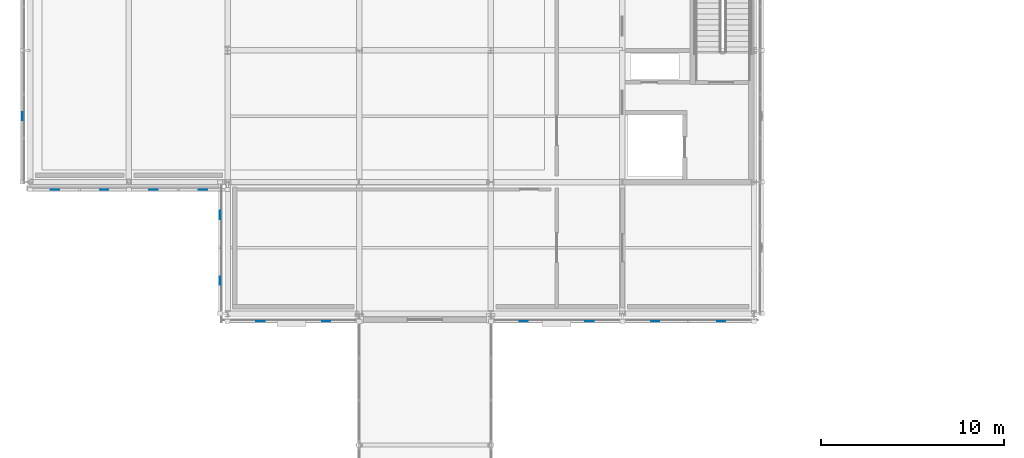
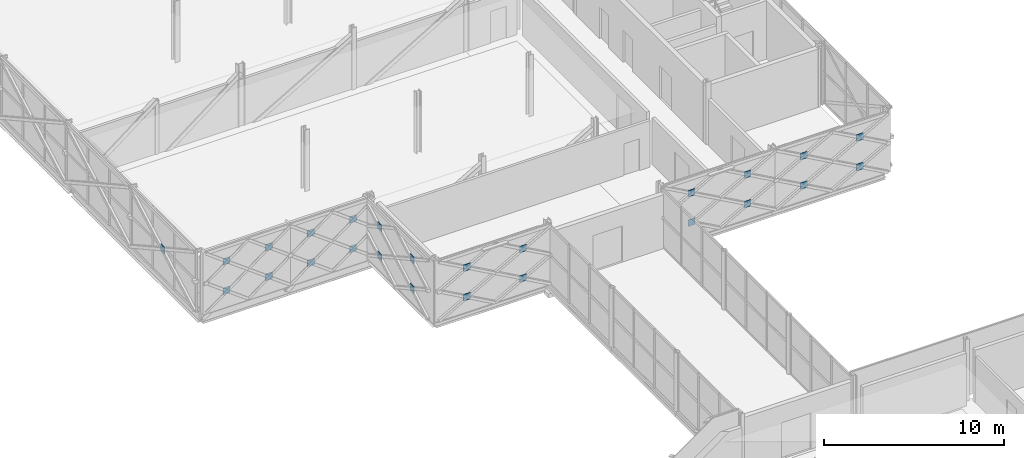
# One storey, part 85 of 126: 25 plates.
"""IFC4 building model written with IfcOpenShell, lengths in metres."""

import ifcopenshell
import ifcopenshell.guid

model = None  # the IFC model being written
_history = None  # IfcOwnerHistory: only IFC2X3 demands one
_inside = {}  # id of a spatial element -> (the spatial element, [elements in it])
_under = {}  # id of a project, library or spatial element -> (it, [spatial elements below it])
_declared = {}  # id of a project -> (the project, [libraries it declares])
_typed = {}  # id of a type object -> (the type object, [elements of that type])
_made_of = {}  # id of a material, layer set ... -> (it, [elements and type objects made of it])


def new_model(schema):
    """Start an empty IFC model of exactly this schema.

    Asked for "IFC4X3", IfcOpenShell would pick the latest addendum, in which some entities
    have other attributes; the version numbers below select the first issue.
    IFC2X3 requires an IfcOwnerHistory on every rooted entity: one is made here for all.
    """
    global model, _history
    if schema == "IFC4X3":
        model = ifcopenshell.file(schema_version=(4, 3, 0, 0))
    else:
        model = ifcopenshell.file(schema=schema)
    _inside.clear()
    _under.clear()
    _declared.clear()
    _typed.clear()
    _made_of.clear()
    _history = None
    if model.schema == "IFC2X3":
        org = make("IfcOrganization", Name="unknown")
        user = make(
            "IfcPersonAndOrganization",
            ThePerson=make("IfcPerson", FamilyName="unknown"),
            TheOrganization=org,
        )
        app = make(
            "IfcApplication",
            ApplicationDeveloper=org,
            Version="unknown",
            ApplicationFullName="unknown",
            ApplicationIdentifier="unknown",
        )
        _history = make(
            "IfcOwnerHistory",
            OwningUser=user,
            OwningApplication=app,
            ChangeAction="ADDED",
            CreationDate=0,
        )
    return model


def make(cls, **values):
    """One entity of the class cls with the attributes given. An attribute that is None is left unset."""
    return model.create_entity(
        cls, **{name: value for name, value in values.items() if value is not None}
    )


def rooted(cls, **values):
    """An entity with a GlobalId (a new one), such as an element, a storey or a relation."""
    return make(cls, GlobalId=ifcopenshell.guid.new(), OwnerHistory=_history, **values)


def si_unit(unit_type, name, prefix=None):
    """IfcSIUnit, for example si_unit("LENGTHUNIT", "METRE", prefix="MILLI")."""
    return make("IfcSIUnit", UnitType=unit_type, Prefix=prefix, Name=name)


def assignment(units):
    """IfcUnitAssignment: the units of a project."""
    return None if units is None else make("IfcUnitAssignment", Units=units)


def point(xyz):
    """IfcCartesianPoint."""
    return None if xyz is None else make("IfcCartesianPoint", Coordinates=xyz)


def direction(xyz):
    """IfcDirection."""
    return None if xyz is None else make("IfcDirection", DirectionRatios=xyz)


def frame(location, z_axis=None, x_axis=None):
    """IfcAxis2Placement3D, a coordinate frame: its origin and axes. An axis left out is left unset."""
    return make(
        "IfcAxis2Placement3D",
        Location=point(location),
        Axis=direction(z_axis),
        RefDirection=direction(x_axis),
    )


def frame_2d(location, x_axis=None):
    """IfcAxis2Placement2D, a coordinate frame in the plane: its origin and x axis."""
    return make(
        "IfcAxis2Placement2D", Location=point(location), RefDirection=direction(x_axis)
    )


def origin():
    """The frame at (0, 0, 0) with its axes left unset."""
    return frame((0.0, 0.0, 0.0))


def origin_2d():
    """The frame at (0, 0) in the plane with its x axis left unset."""
    return frame_2d((0.0, 0.0))


def place(relative_to, where):
    """IfcLocalPlacement: puts the frame where relative to a parent placement (None: the world)."""
    return make(
        "IfcLocalPlacement", PlacementRelTo=relative_to, RelativePlacement=where
    )


def context(
    kind, dimensions, precision=None, world=None, true_north=None, identifier=None
):
    """IfcGeometricRepresentationContext, for example the 3D "Model" context."""
    return make(
        "IfcGeometricRepresentationContext",
        ContextIdentifier=identifier,
        ContextType=kind,
        CoordinateSpaceDimension=dimensions,
        Precision=precision,
        WorldCoordinateSystem=world,
        TrueNorth=true_north,
    )


def subcontext(parent, identifier, kind, view, scale=None):
    """IfcGeometricRepresentationSubContext, for example "Body" below "Model"."""
    return make(
        "IfcGeometricRepresentationSubContext",
        ContextIdentifier=identifier,
        ContextType=kind,
        ParentContext=parent,
        TargetScale=scale,
        TargetView=view,
    )


def project(units=None, contexts=None):
    """IfcProject with its units and contexts."""
    return rooted(
        "IfcProject",
        Name="project",
        RepresentationContexts=contexts,
        UnitsInContext=assignment(units),
    )


def spatial(cls, under=None, at=None, **own):
    """A site, building, storey or space (cls), placed at a placement, below another one or the project."""
    s = rooted(cls, ObjectPlacement=at, **own)
    if under is not None:
        _under.setdefault(under.id(), (under, []))[1].append(s)
    return s


def profile(cls, at=None, kind="AREA", **sizes):
    """A parametric profile (cls). Its sizes go by their IFC names, for example OverallWidth=200.0."""
    return make(cls, ProfileType=kind, Position=at, **sizes)


def rectangle(**sizes):
    """IfcRectangleProfileDef."""
    return profile("IfcRectangleProfileDef", **sizes)


def extrude(swept, where, along, depth):
    """IfcExtrudedAreaSolid: the profile swept, set in the frame where, extruded along a direction by depth."""
    return make(
        "IfcExtrudedAreaSolid",
        SweptArea=swept,
        Position=where,
        ExtrudedDirection=direction(along),
        Depth=depth,
    )


def shape(context_of_items, identifier, shape_type, items):
    """IfcShapeRepresentation: the items that make up one representation, for example the "Body"."""
    return make(
        "IfcShapeRepresentation",
        ContextOfItems=context_of_items,
        RepresentationIdentifier=identifier,
        RepresentationType=shape_type,
        Items=items,
    )


def material(Name=None, Category=None):
    """IfcMaterial."""
    return make("IfcMaterial", Name=Name, Category=Category)


def layer(
    of_material, thickness, ventilated=None, Name=None, Category=None, Priority=None
):
    """IfcMaterialLayer: one layer of a wall or slab, of a material (None: an air gap)."""
    return make(
        "IfcMaterialLayer",
        Material=of_material,
        LayerThickness=thickness,
        IsVentilated=ventilated,
        Name=Name,
        Category=Category,
        Priority=Priority,
    )


def layer_set(layers, Name=None):
    """IfcMaterialLayerSet."""
    return make("IfcMaterialLayerSet", MaterialLayers=layers, LayerSetName=Name)


def made_of(thing, what):
    """Note that an element or type object is made of a material, layer set ...; save() writes the relation."""
    if what is not None:
        _made_of.setdefault(what.id(), (what, []))[1].append(thing)
    return thing


def type_object(cls, material=None, **own):
    """A type object (cls), such as IfcWallType, which elements share."""
    return made_of(rooted(cls, **own), material)


def element(
    cls,
    number,
    at=None,
    inside=None,
    cuts=None,
    type_object=None,
    material=None,
    context=None,
    identifier="Body",
    shape_type=None,
    held_by="IfcProductDefinitionShape",
    body=None,
    shapes=None,
    **own,
):
    """One element of the class cls, such as IfcWall. Its Tag is "e" and its number.

    at: its placement. inside: the storey or other place that contains it. cuts: it is an
    opening in that element (IfcRelVoidsElement). A single representation is given by context,
    identifier, shape_type and body (its items); several are given by shapes. held_by: the class
    of the entity that holds the representations. save() writes the other relations.
    """
    e = rooted(cls, Tag="e%d" % number, ObjectPlacement=at, **own)
    if body is not None:
        shapes = [shape(context, identifier, shape_type, body)]
    if shapes is not None:
        e.Representation = make(held_by, Representations=shapes)
    if inside is not None:
        _inside.setdefault(inside.id(), (inside, []))[1].append(e)
    if cuts is not None:
        rooted(
            "IfcRelVoidsElement", RelatingBuildingElement=cuts, RelatedOpeningElement=e
        )
    if type_object is not None:
        _typed.setdefault(type_object.id(), (type_object, []))[1].append(e)
    return made_of(e, material)


def aggregate(whole, parts):
    """IfcRelAggregates: a whole, such as a stair, and the parts it consists of."""
    return rooted("IfcRelAggregates", RelatingObject=whole, RelatedObjects=parts)


def save(model, path):
    """Write the relations noted so far, then the file.

    IfcRelAggregates (storeys below a building ...), IfcRelContainedInSpatialStructure (elements
    in a storey), IfcRelDefinesByType, IfcRelAssociatesMaterial and IfcRelDeclares: one each for
    every whole, place, type object, material and project.
    """
    for whole, parts in _under.values():
        aggregate(whole, parts)
    for where, things in _inside.values():
        rooted(
            "IfcRelContainedInSpatialStructure",
            RelatedElements=things,
            RelatingStructure=where,
        )
    for kind, things in _typed.values():
        rooted("IfcRelDefinesByType", RelatedObjects=things, RelatingType=kind)
    for what, things in _made_of.values():
        rooted("IfcRelAssociatesMaterial", RelatedObjects=things, RelatingMaterial=what)
    for by, libraries in _declared.values():
        rooted("IfcRelDeclares", RelatingContext=by, RelatedDefinitions=libraries)
    model.write(path)


model = new_model("IFC4")

# Units and contexts
model_context = context("Model", 3, precision=1e-05, world=origin(), true_north=direction((0.0, 1.0)))
body_context = subcontext(model_context, "Body", "Model", "MODEL_VIEW")
ifc_project = project(units=[si_unit("LENGTHUNIT", "METRE"), si_unit("AREAUNIT", "SQUARE_METRE"), si_unit("VOLUMEUNIT", "CUBIC_METRE"), si_unit("PLANEANGLEUNIT", "RADIAN"), si_unit("MASSUNIT", "GRAM", prefix="KILO")], contexts=[model_context])

# Site, building, storey
site_placement = place(None, origin())
site = spatial("IfcSite", under=ifc_project, at=site_placement, CompositionType="ELEMENT")
building_placement = place(site_placement, origin())
building = spatial("IfcBuilding", under=site, at=building_placement, Name="Zlatovets Crest Museum", CompositionType="ELEMENT")
storey_placement = place(building_placement, frame((0.0, 0.0, 8.699951171875)))
storey = spatial("IfcBuildingStorey", under=building, at=storey_placement, Name="L02", CompositionType="ELEMENT", Elevation=8.699951171875)

# Plates
ifc_material = material(Name="Structural steel S355J2", Category="steel")
ifc_layer = layer(ifc_material, 0.02001953125)
ifc_layer_set = layer_set([ifc_layer], Name="Structural steel S355J2")
plate_type = type_object("IfcPlateType", Name="Gusset_GP-04", PredefinedType="USERDEFINED", material=ifc_layer_set)
for number, where, z_axis, x_axis, name in (
    (1, (9.0, 49.97998046875, 0.875), (0.0, 0.0, 1.0), (1.0, 0.0, 0.0), "X-Brace Crossing Node Gusset Plate GP-04"),
    (2, (12.60009765625, 49.97998046875, 0.875), (0.0, 0.0, 1.0), (1.0, 0.0, 0.0), "X-Brace Crossing Node Gusset Plate GP-04"),
    (3, (9.0, 49.97998046875, 2.875), (0.0, 0.0, 1.0), (1.0, 0.0, 0.0), "X-Brace Crossing Node Gusset Plate GP-04"),
    (4, (12.60009765625, 49.97998046875, 2.875), (0.0, 0.0, 1.0), (1.0, 0.0, 0.0), "X-Brace Crossing Node Gusset Plate GP-04"),
    (5, (23.39990234375, 49.97998046875, 0.875), (0.0, 0.0, 1.0), (1.0, 0.0, 0.0), "X-Brace Crossing Node Gusset Plate GP-04"),
    (6, (27.0, 49.97998046875, 0.875), (0.0, 0.0, 1.0), (1.0, 0.0, 0.0), "X-Brace Crossing Node Gusset Plate GP-04"),
    (7, (23.39990234375, 49.97998046875, 2.875), (0.0, 0.0, 1.0), (1.0, 0.0, 0.0), "X-Brace Crossing Node Gusset Plate GP-04"),
    (8, (27.0, 49.97998046875, 2.875), (0.0, 0.0, 1.0), (1.0, 0.0, 0.0), "X-Brace Crossing Node Gusset Plate GP-04"),
    (9, (30.60009765625, 49.97998046875, 0.875), (0.0, 0.0, 1.0), (1.0, 0.0, 0.0), "X-Brace Crossing Node Gusset Plate GP-04"),
    (10, (34.199951171875, 49.97998046875, 0.875), (0.0, 0.0, 1.0), (1.0, 0.0, 0.0), "X-Brace Crossing Node Gusset Plate GP-04"),
    (11, (30.60009765625, 49.97998046875, 2.875), (0.0, 0.0, 1.0), (1.0, 0.0, 0.0), "X-Brace Crossing Node Gusset Plate GP-04"),
    (12, (34.199951171875, 49.97998046875, 2.875), (0.0, 0.0, 1.0), (1.0, 0.0, 0.0), "X-Brace Crossing Node Gusset Plate GP-04"),
):
    element("IfcPlate", number, at=place(storey_placement, frame(where, z_axis=z_axis, x_axis=x_axis)), inside=storey, type_object=plate_type, Name=name, ObjectType="GUSSET", PredefinedType="USERDEFINED", context=body_context, shape_type="SweptSolid", body=[
        extrude(rectangle(XDim=0.449951171875, YDim=0.02001953125, at=origin_2d()), origin(), (0.0, 0.0, 1.0), 0.449951171875),
    ])
plate_placement = place(storey_placement, frame((-4.02001953125, 61.199951171875, 1.875), z_axis=(0.0, 0.0, 1.0), x_axis=(1.0, 0.0, 0.0)))
element("IfcPlate", 13, at=plate_placement, inside=storey, type_object=plate_type, Name="X-Brace Crossing Node Gusset Plate GP-04", ObjectType="GUSSET", PredefinedType="USERDEFINED", context=body_context, shape_type="SweptSolid", body=[
    extrude(rectangle(XDim=0.02001953125, YDim=0.449951171875, at=origin_2d()), origin(), (0.0, 0.0, 1.0), 0.449951171875),
])
for number, where, z_axis, x_axis, name in (
    (14, (-2.25, 57.179931640625, 0.875), (0.0, 0.0, 1.0), (1.0, 0.0, 0.0), "X-Brace Crossing Node Gusset Plate GP-04"),
    (15, (0.449951171875, 57.179931640625, 0.875), (0.0, 0.0, 1.0), (1.0, 0.0, 0.0), "X-Brace Crossing Node Gusset Plate GP-04"),
    (16, (-2.25, 57.179931640625, 2.875), (0.0, 0.0, 1.0), (1.0, 0.0, 0.0), "X-Brace Crossing Node Gusset Plate GP-04"),
    (17, (0.449951171875, 57.179931640625, 2.875), (0.0, 0.0, 1.0), (1.0, 0.0, 0.0), "X-Brace Crossing Node Gusset Plate GP-04"),
    (18, (3.14990234375, 57.179931640625, 0.875), (0.0, 0.0, 1.0), (1.0, 0.0, 0.0), "X-Brace Crossing Node Gusset Plate GP-04"),
    (19, (5.85009765625, 57.179931640625, 0.875), (0.0, 0.0, 1.0), (1.0, 0.0, 0.0), "X-Brace Crossing Node Gusset Plate GP-04"),
    (20, (3.14990234375, 57.179931640625, 2.875), (0.0, 0.0, 1.0), (1.0, 0.0, 0.0), "X-Brace Crossing Node Gusset Plate GP-04"),
    (21, (5.85009765625, 57.179931640625, 2.875), (0.0, 0.0, 1.0), (1.0, 0.0, 0.0), "X-Brace Crossing Node Gusset Plate GP-04"),
):
    element("IfcPlate", number, at=place(storey_placement, frame(where, z_axis=z_axis, x_axis=x_axis)), inside=storey, type_object=plate_type, Name=name, ObjectType="GUSSET", PredefinedType="USERDEFINED", context=body_context, shape_type="SweptSolid", body=[
        extrude(rectangle(XDim=0.449951171875, YDim=0.02001953125, at=origin_2d()), origin(), (0.0, 0.0, 1.0), 0.449951171875),
    ])
for number, where, z_axis, x_axis, name in (
    (22, (6.780029296875, 55.800048828125, 0.875), (0.0, 0.0, 1.0), (1.0, 0.0, 0.0), "X-Brace Crossing Node Gusset Plate GP-04"),
    (23, (6.780029296875, 52.199951171875, 0.875), (0.0, 0.0, 1.0), (1.0, 0.0, 0.0), "X-Brace Crossing Node Gusset Plate GP-04"),
    (24, (6.780029296875, 55.800048828125, 2.875), (0.0, 0.0, 1.0), (1.0, 0.0, 0.0), "X-Brace Crossing Node Gusset Plate GP-04"),
    (25, (6.780029296875, 52.199951171875, 2.875), (0.0, 0.0, 1.0), (1.0, 0.0, 0.0), "X-Brace Crossing Node Gusset Plate GP-04"),
):
    element("IfcPlate", number, at=place(storey_placement, frame(where, z_axis=z_axis, x_axis=x_axis)), inside=storey, type_object=plate_type, Name=name, ObjectType="GUSSET", PredefinedType="USERDEFINED", context=body_context, shape_type="SweptSolid", body=[
        extrude(rectangle(XDim=0.02001953125, YDim=0.449951171875, at=origin_2d()), origin(), (0.0, 0.0, 1.0), 0.449951171875),
    ])

save(model, "model.ifc")
